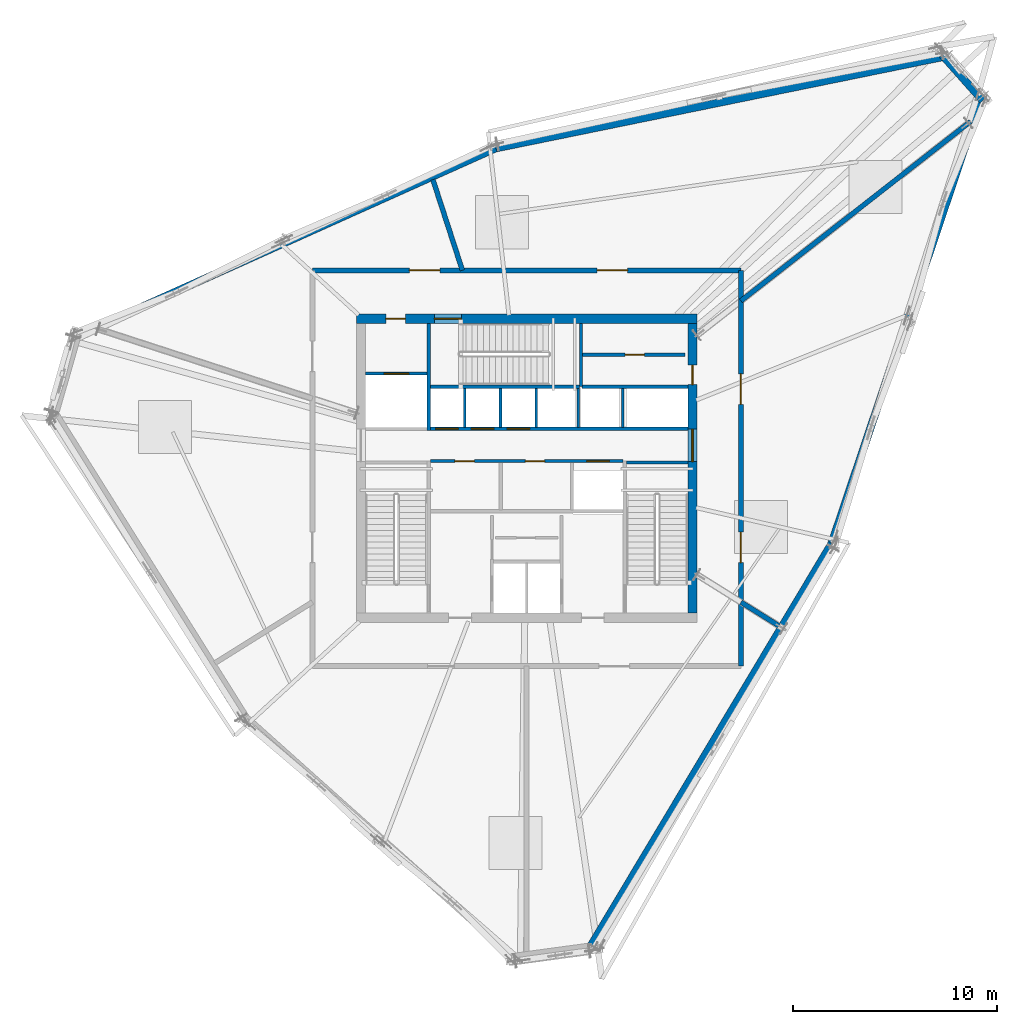
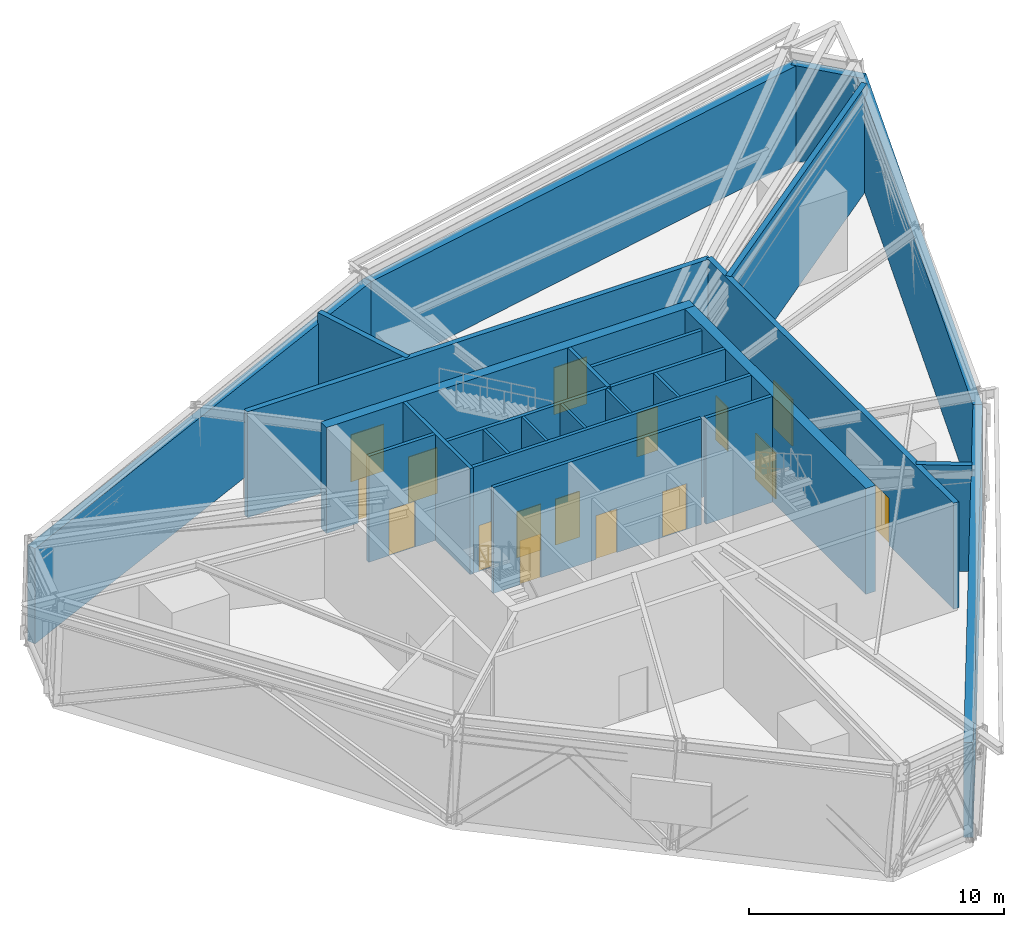
# One storey, part 10 of 15: 26 walls, 16 doors, 16 openings.
"""IFC4 building model written with IfcOpenShell, lengths in metres."""

from ifc_helpers import new_model, si_unit, direction, frame, frame_2d, origin, place, context, subcontext, project, spatial, rectangle, extrude, source, transform, mapped, material, layer, layer_set, type_object, type_shapes, element, fill, save


model = new_model("IFC4")

# Units and contexts
model_context = context("Model", 3, precision=1e-05, world=origin(), true_north=direction((0.0, 1.0)))
body_context = subcontext(model_context, "Body", "Model", "MODEL_VIEW")
ifc_project = project(units=[si_unit("LENGTHUNIT", "METRE"), si_unit("AREAUNIT", "SQUARE_METRE"), si_unit("VOLUMEUNIT", "CUBIC_METRE"), si_unit("PLANEANGLEUNIT", "RADIAN"), si_unit("MASSUNIT", "GRAM", prefix="KILO")], contexts=[model_context])

# Site, building, storey
site_placement = place(None, origin())
site = spatial("IfcSite", under=ifc_project, at=site_placement, CompositionType="ELEMENT")
building_placement = place(site_placement, origin())
building = spatial("IfcBuilding", under=site, at=building_placement, Name="Olszyna Solenne Hotel", CompositionType="ELEMENT")
storey_placement = place(building_placement, frame((0.0, 0.0, 204.300048828125)))
storey = spatial("IfcBuildingStorey", under=building, at=storey_placement, Name="L54", CompositionType="ELEMENT", Elevation=204.300048828125)

# Wall, openings, doors
ifc_material_1 = material(Name="Concrete C50/60", Category="concrete")
ifc_layer_1 = layer(ifc_material_1, 0.449951171875, Name="Concrete C50/60")
ifc_layer_set_1 = layer_set([ifc_layer_1], Name="Concrete C50/60")
wall_type_1 = type_object("IfcWallType", Name="WL-CR450", PredefinedType="SHEAR", material=ifc_layer_set_1)
wall_1_placement = place(storey_placement, frame((29.64990234375, 33.925048828125, 0.0), z_axis=(0.0, 0.0, 1.0), x_axis=(1.0, 0.0, 0.0)))
wall_1 = element("IfcWall", 1, at=wall_1_placement, inside=storey, type_object=wall_type_1, Name="Core shear wall WL-CR450 CRW-L54-N", PredefinedType="SHEAR", context=body_context, shape_type="SweptSolid", body=[
    extrude(rectangle(XDim=16.7001953125, YDim=0.449951171875, at=frame_2d((8.35009765625, 0.0))), origin(), (0.0, 0.0, 1.0), 5.079833984375),
])
opening_1_placement = place(wall_1_placement, frame((1.449951171875, 0.0, 0.0)))
opening_1 = element("IfcOpeningElement", 2, at=opening_1_placement, cuts=wall_1, Name="Opening SVD-L54-01", PredefinedType="OPENING", context=body_context, shape_type="SweptSolid", body=[
    extrude(rectangle(XDim=0.949951171875, YDim=2.10009765625, at=frame_2d((0.47509765625, 1.050048828125))), frame((0.0, 0.23486328125, 0.0), z_axis=(0.0, -1.0, 0.0), x_axis=(1.0, 0.0, 0.0)), (0.0, 0.0, 1.0), 0.469970703125),
])
opening_2_placement = place(wall_1_placement, frame((3.830078125, 0.0, 0.0)))
opening_2 = element("IfcOpeningElement", 3, at=opening_2_placement, cuts=wall_1, Name="Opening STD-L54-03", PredefinedType="OPENING", context=body_context, shape_type="SweptSolid", body=[
    extrude(rectangle(XDim=1.320068359375, YDim=2.199951171875, at=frame_2d((0.66015625, 1.10009765625))), frame((0.0, 0.23486328125, 0.0), z_axis=(0.0, -1.0, 0.0), x_axis=(1.0, 0.0, 0.0)), (0.0, 0.0, 1.0), 0.469970703125),
])
ifc_material_2 = material(Name="Steel S355J2", Category="steel")
door_type_1 = type_object("IfcDoorType", Name="DR-ST1", OperationType="NOTDEFINED", PredefinedType="DOOR", material=ifc_material_2)
shared_shape_1 = source(origin(), body_context, "Body", "SweptSolid", [
    extrude(rectangle(XDim=1.320068359375, YDim=2.199951171875, at=frame_2d((0.66015625, 1.10009765625))), frame((0.0, 0.02490234375, 0.0), z_axis=(0.0, -1.0, 0.0), x_axis=(1.0, 0.0, 0.0)), (0.0, 0.0, 1.0), 0.050048828125),
])
type_shapes(door_type_1, [shared_shape_1])
door_1_placement = place(opening_2_placement, origin())
door_1 = element("IfcDoor", 4, at=door_1_placement, inside=storey, type_object=door_type_1, Name="Pressurised exit stair ST3 fire door STD-L54-03", OperationType="SINGLE_SWING_RIGHT", OverallHeight=2.199951171875, OverallWidth=1.320068359375, PredefinedType="DOOR", context=body_context, shape_type="MappedRepresentation", body=[
    mapped(shared_shape_1, transform((0.0, 0.0, 0.0), x_axis=(1.0, 0.0, 0.0), y_axis=(0.0, 1.0, 0.0), z_axis=(0.0, 0.0, 1.0), scale=1.0)),
])
fill(opening_2, door_1)
door_type_2 = type_object("IfcDoorType", Name="DR-SV1", OperationType="NOTDEFINED", PredefinedType="DOOR", material=ifc_material_2)
shared_shape_2 = source(origin(), body_context, "Body", "SweptSolid", [
    extrude(rectangle(XDim=0.949951171875, YDim=2.10009765625, at=frame_2d((0.47509765625, 1.050048828125))), frame((0.0, 0.02490234375, 0.0), z_axis=(0.0, -1.0, 0.0), x_axis=(1.0, 0.0, 0.0)), (0.0, 0.0, 1.0), 0.050048828125),
])
type_shapes(door_type_2, [shared_shape_2])
door_2_placement = place(opening_1_placement, origin())
door_2 = element("IfcDoor", 5, at=door_2_placement, inside=storey, type_object=door_type_2, Name="Service lift lobby fire door SVD-L54-01", OperationType="SINGLE_SWING_LEFT", OverallHeight=2.10009765625, OverallWidth=0.949951171875, PredefinedType="DOOR", context=body_context, shape_type="MappedRepresentation", body=[
    mapped(shared_shape_2, transform((0.0, 0.0, 0.0), x_axis=(1.0, 0.0, 0.0), y_axis=(0.0, 1.0, 0.0), z_axis=(0.0, 0.0, 1.0), scale=1.0)),
])
fill(opening_1, door_2)

wall_2_placement = place(storey_placement, frame((46.125, 33.699951171875, 0.0), z_axis=(0.0, 0.0, 1.0), x_axis=(0.0, -1.0, 0.0)))
wall_2 = element("IfcWall", 6, at=wall_2_placement, inside=storey, type_object=wall_type_1, Name="Core shear wall WL-CR450 CRW-L54-E", PredefinedType="SHEAR", context=body_context, shape_type="SweptSolid", body=[
    extrude(rectangle(XDim=14.199951171875, YDim=0.449951171875, at=frame_2d((7.10009765625, 0.0))), origin(), (0.0, 0.0, 1.0), 5.079833984375),
])
opening_3_placement = place(wall_2_placement, frame((5.179931640625, 0.0, 0.0)))
opening_3 = element("IfcOpeningElement", 7, at=opening_3_placement, cuts=wall_2, Name="Opening LHD-L54-E", PredefinedType="OPENING", context=body_context, shape_type="SweptSolid", body=[
    extrude(rectangle(XDim=1.60009765625, YDim=2.199951171875, at=frame_2d((0.800048828125, 1.10009765625))), frame((0.0, 0.23486328125, 0.0), z_axis=(0.0, -1.0, 0.0), x_axis=(1.0, 0.0, 0.0)), (0.0, 0.0, 1.0), 0.469970703125),
])
opening_4_placement = place(wall_2_placement, frame((2.050048828125, 0.0, 0.0)))
opening_4 = element("IfcOpeningElement", 8, at=opening_4_placement, cuts=wall_2, Name="Opening SVD-L54-BE", PredefinedType="OPENING", context=body_context, shape_type="SweptSolid", body=[
    extrude(rectangle(XDim=0.949951171875, YDim=2.10009765625, at=frame_2d((0.47509765625, 1.050048828125))), frame((0.0, 0.23486328125, 0.0), z_axis=(0.0, -1.0, 0.0), x_axis=(1.0, 0.0, 0.0)), (0.0, 0.0, 1.0), 0.469970703125),
])
door_3_placement = place(opening_4_placement, origin())
door_3 = element("IfcDoor", 9, at=door_3_placement, inside=storey, type_object=door_type_2, Name="Housekeeping core fire door SVD-L54-BE", OperationType="SINGLE_SWING_RIGHT", OverallHeight=2.10009765625, OverallWidth=0.949951171875, PredefinedType="DOOR", context=body_context, shape_type="MappedRepresentation", body=[
    mapped(shared_shape_2, transform((0.0, 0.0, 0.0), x_axis=(1.0, 0.0, 0.0), y_axis=(0.0, 1.0, 0.0), z_axis=(0.0, 0.0, 1.0), scale=1.0)),
])
fill(opening_4, door_3)
ifc_material_3 = material(Name="Timber hardwood", Category="wood")
door_type_3 = type_object("IfcDoorType", Name="DR-CR1", OperationType="DOUBLE_DOOR_SINGLE_SWING", PredefinedType="DOOR", material=ifc_material_3)
shared_shape_3 = source(origin(), body_context, "Body", "SweptSolid", [
    extrude(rectangle(XDim=1.60009765625, YDim=2.199951171875, at=frame_2d((0.800048828125, 1.10009765625))), frame((0.0, 0.02490234375, 0.0), z_axis=(0.0, -1.0, 0.0), x_axis=(1.0, 0.0, 0.0)), (0.0, 0.0, 1.0), 0.050048828125),
])
type_shapes(door_type_3, [shared_shape_3])
door_4_placement = place(opening_3_placement, origin())
door_4 = element("IfcDoor", 10, at=door_4_placement, inside=storey, type_object=door_type_3, Name="Passenger lift lobby East fire door LHD-L54-E", OperationType="DOUBLE_DOOR_SINGLE_SWING", OverallHeight=2.199951171875, OverallWidth=1.60009765625, PredefinedType="DOOR", context=body_context, shape_type="MappedRepresentation", body=[
    mapped(shared_shape_3, transform((0.0, 0.0, 0.0), x_axis=(1.0, 0.0, 0.0), y_axis=(0.0, 1.0, 0.0), z_axis=(0.0, 0.0, 1.0), scale=1.0)),
])
fill(opening_3, door_4)

# Walls
ifc_material_4 = material(Name="Terracotta cladding on precast concrete C45/55", Category="masonry")
ifc_layer_2 = layer(ifc_material_4, 0.3798828125, Name="Terracotta cladding on precast concrete C45/55")
ifc_layer_set_2 = layer_set([ifc_layer_2], Name="Terracotta cladding on precast concrete C45/55")
wall_type_2 = type_object("IfcWallType", Name="WL-EX380", PredefinedType="SOLIDWALL", material=ifc_layer_set_2)
wall_3_placement = place(storey_placement, frame((52.952392578125, 22.916748046875, 0.0), z_axis=(0.0, 0.0, 1.0), x_axis=(-0.51363254846, -0.858010259357, 0.0)))
element("IfcWall", 11, at=wall_3_placement, inside=storey, type_object=wall_type_2, Name="Exterior terracotta-precast frame wall WL-EX380 EW-L54-01", PredefinedType="SOLIDWALL", context=body_context, shape_type="SweptSolid", body=[
    extrude(rectangle(XDim=23.132568359375, YDim=0.3798828125, at=frame_2d((11.56640625, 0.0))), origin(), (0.0, 0.0, 1.0), 4.572021484375),
])
for number, where, z_axis, x_axis, name in (
    (12, (15.88623046875, 33.049560546875, 0.0), (0.0, 0.0, 1.0), (0.912383830261, 0.409335737845, 0.0), "Exterior terracotta-precast frame wall WL-EX380 EW-L54-06"),
    (13, (36.43798828125, 42.27490234375, 0.0), (0.0, 0.0, 1.0), (0.979770307464, 0.200125322264, 0.0), "Exterior terracotta-precast frame wall WL-EX380 EW-L54-07"),
):
    element("IfcWall", number, at=place(storey_placement, frame(where, z_axis=z_axis, x_axis=x_axis)), inside=storey, type_object=wall_type_2, Name=name, PredefinedType="SOLIDWALL", context=body_context, shape_type="SweptSolid", body=[
        extrude(rectangle(XDim=22.56884765625, YDim=0.3798828125, at=frame_2d((11.284423828125, 0.0))), origin(), (0.0, 0.0, 1.0), 4.572021484375),
    ])
wall_4_placement = place(storey_placement, frame((58.3701171875, 46.8515625, 0.0), z_axis=(0.0, 0.0, 1.0), x_axis=(0.663286689739, -0.748365396859, 0.0)))
element("IfcWall", 14, at=wall_4_placement, inside=storey, type_object=wall_type_2, Name="Exterior terracotta-precast frame wall WL-EX380 EW-L54-08", PredefinedType="SOLIDWALL", context=body_context, shape_type="SweptSolid", body=[
    extrude(rectangle(XDim=2.984375, YDim=0.3798828125, at=frame_2d((1.4921875, 0.0))), origin(), (0.0, 0.0, 1.0), 4.572021484375),
])
wall_5_placement = place(storey_placement, frame((60.3115234375, 44.8046875, 0.0), z_axis=(0.0, 0.0, 1.0), x_axis=(-0.318870334395, -0.947798348724, 0.0)))
element("IfcWall", 15, at=wall_5_placement, inside=storey, type_object=wall_type_2, Name="Exterior terracotta-precast frame wall WL-EX380 EW-L54-09", PredefinedType="SOLIDWALL", context=body_context, shape_type="SweptSolid", body=[
    extrude(rectangle(XDim=23.13232421875, YDim=0.3798828125, at=frame_2d((11.566162109375, 0.0))), origin(), (0.0, 0.0, 1.0), 4.572021484375),
])
ifc_material_5 = material(Name="Acoustic gypsum partition", Category="gypsum")
ifc_layer_3 = layer(ifc_material_5, 0.125, Name="Acoustic gypsum partition")
ifc_layer_set_3 = layer_set([ifc_layer_3], Name="Acoustic gypsum partition")
wall_type_3 = type_object("IfcWallType", Name="WL-PT125", PredefinedType="PARTITIONING", material=ifc_layer_set_3)
for number, where, z_axis, x_axis, name in (
    (16, (34.965087890625, 28.60009765625, 0.0), (0.0, 0.0, 1.0), (0.0, 1.0, 0.0), "Core shaft compartment wall CW-L54-DIVN349"),
    (17, (36.715087890625, 28.60009765625, 0.0), (0.0, 0.0, 1.0), (0.0, 1.0, 0.0), "Core shaft compartment wall CW-L54-DIVN367"),
    (18, (38.465087890625, 28.60009765625, 0.0), (0.0, 0.0, 1.0), (0.0, 1.0, 0.0), "Core shaft compartment wall CW-L54-DIVN384"),
    (19, (40.52490234375, 28.60009765625, 0.0), (0.0, 0.0, 1.0), (0.0, 1.0, 0.0), "Core shaft compartment wall CW-L54-DIVEX405"),
    (20, (42.699951171875, 28.60009765625, 0.0), (0.0, 0.0, 1.0), (0.0, 1.0, 0.0), "Core shaft compartment wall CW-L54-DIVEX427"),
):
    element("IfcWall", number, at=place(storey_placement, frame(where, z_axis=z_axis, x_axis=x_axis)), inside=storey, type_object=wall_type_3, Name=name, PredefinedType="PARTITIONING", context=body_context, shape_type="SweptSolid", body=[
        extrude(rectangle(XDim=1.919921875, YDim=0.125, at=frame_2d((0.9599609375, 0.0))), origin(), (0.0, 0.0, 1.0), 5.079833984375),
    ])
ifc_layer_4 = layer(ifc_material_5, 0.159912109375, Name="Acoustic gypsum partition")
ifc_layer_set_4 = layer_set([ifc_layer_4], Name="Acoustic gypsum partition")
wall_type_4 = type_object("IfcWallType", Name="WL-PT160", PredefinedType="PARTITIONING", material=ifc_layer_set_4)
wall_6_placement = place(storey_placement, frame((42.8798828125, 26.8798828125, 0.0), z_axis=(0.0, 0.0, 1.0), x_axis=(1.0, 0.0, 0.0)))
element("IfcWall", 21, at=wall_6_placement, inside=storey, type_object=wall_type_4, Name="Core shaft compartment wall CW-L54-ST2N", PredefinedType="PARTITIONING", context=body_context, shape_type="SweptSolid", body=[
    extrude(rectangle(XDim=3.02001953125, YDim=0.159912109375, at=frame_2d((1.510009765625, 0.0))), origin(), (0.0, 0.0, 1.0), 5.079833984375),
])
wall_7_placement = place(storey_placement, frame((33.280029296875, 30.60009765625, 0.0), z_axis=(0.0, 0.0, 1.0), x_axis=(1.0, 0.0, 0.0)))
element("IfcWall", 22, at=wall_7_placement, inside=storey, type_object=wall_type_4, Name="Core shaft compartment wall CW-L54-ST3S", PredefinedType="PARTITIONING", context=body_context, shape_type="SweptSolid", body=[
    extrude(rectangle(XDim=7.300048828125, YDim=0.159912109375, at=frame_2d((3.64990234375, 0.0))), origin(), (0.0, 0.0, 1.0), 5.079833984375),
])
wall_8_placement = place(storey_placement, frame((40.659912109375, 30.60009765625, 0.0), z_axis=(0.0, 0.0, 1.0), x_axis=(0.0, 1.0, 0.0)))
element("IfcWall", 23, at=wall_8_placement, inside=storey, type_object=wall_type_4, Name="Core shaft compartment wall CW-L54-ST3E", PredefinedType="PARTITIONING", context=body_context, shape_type="SweptSolid", body=[
    extrude(rectangle(XDim=3.099853515625, YDim=0.159912109375, at=frame_2d((1.5498046875, 0.0))), origin(), (0.0, 0.0, 1.0), 5.079833984375),
])
wall_9_placement = place(storey_placement, frame((33.199951171875, 28.43994140625, 0.0), z_axis=(0.0, 0.0, 1.0), x_axis=(0.0, 1.0, 0.0)))
element("IfcWall", 24, at=wall_9_placement, inside=storey, type_object=wall_type_4, Name="Core shaft compartment wall CW-L54-SV1E", PredefinedType="PARTITIONING", context=body_context, shape_type="SweptSolid", body=[
    extrude(rectangle(XDim=5.260009765625, YDim=0.159912109375, at=frame_2d((2.6298828125, 0.0))), origin(), (0.0, 0.0, 1.0), 5.079833984375),
])

# Wall, opening, door
wall_10_placement = place(storey_placement, frame((30.10009765625, 31.239990234375, 0.0), z_axis=(0.0, 0.0, 1.0), x_axis=(1.0, 0.0, 0.0)))
wall_10 = element("IfcWall", 25, at=wall_10_placement, inside=storey, type_object=wall_type_4, Name="Core shaft compartment wall CW-L54-SV1N", PredefinedType="PARTITIONING", context=body_context, shape_type="SweptSolid", body=[
    extrude(rectangle(XDim=3.02001953125, YDim=0.159912109375, at=frame_2d((1.510009765625, 0.0))), origin(), (0.0, 0.0, 1.0), 5.079833984375),
])
opening_5_placement = place(wall_10_placement, frame((0.909912109375, 0.0, 0.0)))
opening_5 = element("IfcOpeningElement", 26, at=opening_5_placement, cuts=wall_10, Name="Opening LD-L54-SV1", PredefinedType="OPENING", context=body_context, shape_type="SweptSolid", body=[
    extrude(rectangle(XDim=1.199951171875, YDim=2.199951171875, at=frame_2d((0.60009765625, 1.10009765625))), frame((0.0, 0.08984375, 0.0), z_axis=(0.0, -1.0, 0.0), x_axis=(1.0, 0.0, 0.0)), (0.0, 0.0, 1.0), 0.179931640625),
])
door_type_4 = type_object("IfcDoorType", Name="LD-FF1", OperationType="DOUBLE_DOOR_SLIDING", PredefinedType="DOOR", material=ifc_material_2)
shared_shape_4 = source(origin(), body_context, "Body", "SweptSolid", [
    extrude(rectangle(XDim=1.199951171875, YDim=2.199951171875, at=frame_2d((0.60009765625, 1.10009765625))), frame((0.0, 0.02490234375, 0.0), z_axis=(0.0, -1.0, 0.0), x_axis=(1.0, 0.0, 0.0)), (0.0, 0.0, 1.0), 0.050048828125),
])
type_shapes(door_type_4, [shared_shape_4])
door_5_placement = place(opening_5_placement, origin())
door_5 = element("IfcDoor", 27, at=door_5_placement, inside=storey, type_object=door_type_4, Name="Service lift SV1 sliding landing door LD-L54-SV1", OperationType="DOUBLE_DOOR_SLIDING", OverallHeight=2.199951171875, OverallWidth=1.199951171875, PredefinedType="DOOR", context=body_context, shape_type="MappedRepresentation", body=[
    mapped(shared_shape_4, transform((0.0, 0.0, 0.0), x_axis=(1.0, 0.0, 0.0), y_axis=(0.0, 1.0, 0.0), z_axis=(0.0, 0.0, 1.0), scale=1.0)),
])
fill(opening_5, door_5)

# Wall, openings, doors
wall_11_placement = place(storey_placement, frame((33.280029296875, 26.949951171875, 0.0), z_axis=(0.0, 0.0, 1.0), x_axis=(1.0, 0.0, 0.0)))
wall_11 = element("IfcWall", 28, at=wall_11_placement, inside=storey, type_object=wall_type_4, Name="Core shaft compartment wall CW-L54-LRS", PredefinedType="PARTITIONING", context=body_context, shape_type="SweptSolid", body=[
    extrude(rectangle(XDim=9.43994140625, YDim=0.159912109375, at=frame_2d((4.719970703125, 0.0))), origin(), (0.0, 0.0, 1.0), 5.079833984375),
])
opening_6_placement = place(wall_11_placement, frame((1.199951171875, 0.0, 0.0)))
opening_6 = element("IfcOpeningElement", 29, at=opening_6_placement, cuts=wall_11, Name="Opening SVD-L54-L71", PredefinedType="OPENING", context=body_context, shape_type="SweptSolid", body=[
    extrude(rectangle(XDim=0.949951171875, YDim=2.10009765625, at=frame_2d((0.47509765625, 1.050048828125))), frame((0.0, 0.08984375, 0.0), z_axis=(0.0, -1.0, 0.0), x_axis=(1.0, 0.0, 0.0)), (0.0, 0.0, 1.0), 0.179931640625),
])
opening_7_placement = place(wall_11_placement, frame((4.64990234375, 0.0, 0.0)))
opening_7 = element("IfcOpeningElement", 30, at=opening_7_placement, cuts=wall_11, Name="Opening SVD-L54-L72", PredefinedType="OPENING", context=body_context, shape_type="SweptSolid", body=[
    extrude(rectangle(XDim=0.949951171875, YDim=2.10009765625, at=frame_2d((0.47509765625, 1.050048828125))), frame((0.0, 0.08984375, 0.0), z_axis=(0.0, -1.0, 0.0), x_axis=(1.0, 0.0, 0.0)), (0.0, 0.0, 1.0), 0.179931640625),
])
opening_8_placement = place(wall_11_placement, frame((7.669921875, 0.0, 0.0)))
opening_8 = element("IfcOpeningElement", 31, at=opening_8_placement, cuts=wall_11, Name="Opening LD-L54-PL5", PredefinedType="OPENING", context=body_context, shape_type="SweptSolid", body=[
    extrude(rectangle(XDim=1.10009765625, YDim=2.199951171875, at=frame_2d((0.550048828125, 1.10009765625))), frame((0.0, 0.08984375, 0.0), z_axis=(0.0, -1.0, 0.0), x_axis=(1.0, 0.0, 0.0)), (0.0, 0.0, 1.0), 0.179931640625),
])
door_6_placement = place(opening_6_placement, origin())
door_6 = element("IfcDoor", 32, at=door_6_placement, inside=storey, type_object=door_type_2, Name="Recaptured core room fire door SVD-L54-L71", OperationType="SINGLE_SWING_LEFT", OverallHeight=2.10009765625, OverallWidth=0.949951171875, PredefinedType="DOOR", context=body_context, shape_type="MappedRepresentation", body=[
    mapped(shared_shape_2, transform((0.0, 0.0, 0.0), x_axis=(1.0, 0.0, 0.0), y_axis=(0.0, 1.0, 0.0), z_axis=(0.0, 0.0, 1.0), scale=1.0)),
])
fill(opening_6, door_6)
door_7_placement = place(opening_7_placement, origin())
door_7 = element("IfcDoor", 33, at=door_7_placement, inside=storey, type_object=door_type_2, Name="Recaptured core room fire door SVD-L54-L72", OperationType="SINGLE_SWING_RIGHT", OverallHeight=2.10009765625, OverallWidth=0.949951171875, PredefinedType="DOOR", context=body_context, shape_type="MappedRepresentation", body=[
    mapped(shared_shape_2, transform((0.0, 0.0, 0.0), x_axis=(1.0, 0.0, 0.0), y_axis=(0.0, 1.0, 0.0), z_axis=(0.0, 0.0, 1.0), scale=1.0)),
])
fill(opening_7, door_7)
door_type_5 = type_object("IfcDoorType", Name="LD-P1", OperationType="DOUBLE_DOOR_SLIDING", PredefinedType="DOOR", material=ifc_material_2)
shared_shape_5 = source(origin(), body_context, "Body", "SweptSolid", [
    extrude(rectangle(XDim=1.10009765625, YDim=2.199951171875, at=frame_2d((0.550048828125, 1.10009765625))), frame((0.0, 0.02490234375, 0.0), z_axis=(0.0, -1.0, 0.0), x_axis=(1.0, 0.0, 0.0)), (0.0, 0.0, 1.0), 0.050048828125),
])
type_shapes(door_type_5, [shared_shape_5])
door_8_placement = place(opening_8_placement, origin())
door_8 = element("IfcDoor", 34, at=door_8_placement, inside=storey, type_object=door_type_5, Name="Passenger lift PL5 sliding landing door LD-L54-PL5", OperationType="DOUBLE_DOOR_SLIDING", OverallHeight=2.199951171875, OverallWidth=1.10009765625, PredefinedType="DOOR", context=body_context, shape_type="MappedRepresentation", body=[
    mapped(shared_shape_5, transform((0.0, 0.0, 0.0), x_axis=(1.0, 0.0, 0.0), y_axis=(0.0, 1.0, 0.0), z_axis=(0.0, 0.0, 1.0), scale=1.0)),
])
fill(opening_8, door_8)

wall_12_placement = place(storey_placement, frame((33.280029296875, 28.5400390625, 0.0), z_axis=(0.0, 0.0, 1.0), x_axis=(1.0, 0.0, 0.0)))
wall_12 = element("IfcWall", 35, at=wall_12_placement, inside=storey, type_object=wall_type_4, Name="Core shaft compartment wall CW-L54-LRN", PredefinedType="PARTITIONING", context=body_context, shape_type="SweptSolid", body=[
    extrude(rectangle(XDim=12.619873046875, YDim=0.159912109375, at=frame_2d((6.31005859375, 0.0))), origin(), (0.0, 0.0, 1.0), 5.079833984375),
])
opening_9_placement = place(wall_12_placement, frame((0.260009765625, 0.0, 0.0)))
opening_9 = element("IfcOpeningElement", 36, at=opening_9_placement, cuts=wall_12, Name="Opening LD-L54-PL6", PredefinedType="OPENING", context=body_context, shape_type="SweptSolid", body=[
    extrude(rectangle(XDim=1.10009765625, YDim=2.199951171875, at=frame_2d((0.550048828125, 1.10009765625))), frame((0.0, 0.08984375, 0.0), z_axis=(0.0, -1.0, 0.0), x_axis=(1.0, 0.0, 0.0)), (0.0, 0.0, 1.0), 0.179931640625),
])
opening_10_placement = place(wall_12_placement, frame((2.010009765625, 0.0, 0.0)))
opening_10 = element("IfcOpeningElement", 37, at=opening_10_placement, cuts=wall_12, Name="Opening LD-L54-PL7", PredefinedType="OPENING", context=body_context, shape_type="SweptSolid", body=[
    extrude(rectangle(XDim=1.10009765625, YDim=2.199951171875, at=frame_2d((0.550048828125, 1.10009765625))), frame((0.0, 0.08984375, 0.0), z_axis=(0.0, -1.0, 0.0), x_axis=(1.0, 0.0, 0.0)), (0.0, 0.0, 1.0), 0.179931640625),
])
opening_11_placement = place(wall_12_placement, frame((3.760009765625, 0.0, 0.0)))
opening_11 = element("IfcOpeningElement", 38, at=opening_11_placement, cuts=wall_12, Name="Opening LD-L54-PL8", PredefinedType="OPENING", context=body_context, shape_type="SweptSolid", body=[
    extrude(rectangle(XDim=1.10009765625, YDim=2.199951171875, at=frame_2d((0.550048828125, 1.10009765625))), frame((0.0, 0.08984375, 0.0), z_axis=(0.0, -1.0, 0.0), x_axis=(1.0, 0.0, 0.0)), (0.0, 0.0, 1.0), 0.179931640625),
])
door_9_placement = place(opening_9_placement, origin())
door_9 = element("IfcDoor", 39, at=door_9_placement, inside=storey, type_object=door_type_5, Name="Passenger lift PL6 sliding landing door LD-L54-PL6", OperationType="DOUBLE_DOOR_SLIDING", OverallHeight=2.199951171875, OverallWidth=1.10009765625, PredefinedType="DOOR", context=body_context, shape_type="MappedRepresentation", body=[
    mapped(shared_shape_5, transform((0.0, 0.0, 0.0), x_axis=(1.0, 0.0, 0.0), y_axis=(0.0, 1.0, 0.0), z_axis=(0.0, 0.0, 1.0), scale=1.0)),
])
fill(opening_9, door_9)
door_10_placement = place(opening_10_placement, origin())
door_10 = element("IfcDoor", 40, at=door_10_placement, inside=storey, type_object=door_type_5, Name="Passenger lift PL7 sliding landing door LD-L54-PL7", OperationType="DOUBLE_DOOR_SLIDING", OverallHeight=2.199951171875, OverallWidth=1.10009765625, PredefinedType="DOOR", context=body_context, shape_type="MappedRepresentation", body=[
    mapped(shared_shape_5, transform((0.0, 0.0, 0.0), x_axis=(1.0, 0.0, 0.0), y_axis=(0.0, 1.0, 0.0), z_axis=(0.0, 0.0, 1.0), scale=1.0)),
])
fill(opening_10, door_10)
door_11_placement = place(opening_11_placement, origin())
door_11 = element("IfcDoor", 41, at=door_11_placement, inside=storey, type_object=door_type_5, Name="Passenger lift PL8 sliding landing door LD-L54-PL8", OperationType="DOUBLE_DOOR_SLIDING", OverallHeight=2.199951171875, OverallWidth=1.10009765625, PredefinedType="DOOR", context=body_context, shape_type="MappedRepresentation", body=[
    mapped(shared_shape_5, transform((0.0, 0.0, 0.0), x_axis=(1.0, 0.0, 0.0), y_axis=(0.0, 1.0, 0.0), z_axis=(0.0, 0.0, 1.0), scale=1.0)),
])
fill(opening_11, door_11)

# Wall
wall_13_placement = place(storey_placement, frame((40.719970703125, 30.60009765625, 0.0), z_axis=(0.0, 0.0, 1.0), x_axis=(1.0, 0.0, 0.0)))
element("IfcWall", 42, at=wall_13_placement, inside=storey, type_object=wall_type_4, Name="Core shaft compartment wall CW-L54-LRNTOP", PredefinedType="PARTITIONING", context=body_context, shape_type="SweptSolid", body=[
    extrude(rectangle(XDim=5.179931640625, YDim=0.159912109375, at=frame_2d((2.58984375, 0.0))), origin(), (0.0, 0.0, 1.0), 5.079833984375),
])

# Wall, opening, door
wall_14_placement = place(storey_placement, frame((40.719970703125, 32.157958984375, 0.0), z_axis=(0.0, 0.0, 1.0), x_axis=(1.0, 0.0, 0.0)))
wall_14 = element("IfcWall", 43, at=wall_14_placement, inside=storey, type_object=wall_type_4, Name="Core shaft compartment wall CW-L54-BOH2", PredefinedType="PARTITIONING", context=body_context, shape_type="SweptSolid", body=[
    extrude(rectangle(XDim=5.030029296875, YDim=0.159912109375, at=frame_2d((2.51513671875, 0.0))), origin(), (0.0, 0.0, 1.0), 5.079833984375),
])
opening_12_placement = place(wall_14_placement, frame((2.10009765625, 0.0, 0.0)))
opening_12 = element("IfcOpeningElement", 44, at=opening_12_placement, cuts=wall_14, Name="Opening SVD-L54-BI2", PredefinedType="OPENING", context=body_context, shape_type="SweptSolid", body=[
    extrude(rectangle(XDim=0.949951171875, YDim=2.10009765625, at=frame_2d((0.47509765625, 1.050048828125))), frame((0.0, 0.08984375, 0.0), z_axis=(0.0, -1.0, 0.0), x_axis=(1.0, 0.0, 0.0)), (0.0, 0.0, 1.0), 0.179931640625),
])
door_12_placement = place(opening_12_placement, origin())
door_12 = element("IfcDoor", 45, at=door_12_placement, inside=storey, type_object=door_type_2, Name="BOH inter-room fire door SVD-L54-BI2", OperationType="SINGLE_SWING_RIGHT", OverallHeight=2.10009765625, OverallWidth=0.949951171875, PredefinedType="DOOR", context=body_context, shape_type="MappedRepresentation", body=[
    mapped(shared_shape_2, transform((0.0, 0.0, 0.0), x_axis=(1.0, 0.0, 0.0), y_axis=(0.0, 1.0, 0.0), z_axis=(0.0, 0.0, 1.0), scale=1.0)),
])
fill(opening_12, door_12)

# Walls
ifc_layer_5 = layer(ifc_material_5, 0.239990234375, Name="Acoustic gypsum partition")
ifc_layer_set_5 = layer_set([ifc_layer_5], Name="Acoustic gypsum partition")
wall_type_5 = type_object("IfcWallType", Name="WL-PT240", PredefinedType="PARTITIONING", material=ifc_layer_set_5)
wall_15_placement = place(storey_placement, frame((48.5, 20.038818359375, 0.0), z_axis=(0.0, 0.0, 1.0), x_axis=(0.848067119761, -0.529888818887, 0.0)))
element("IfcWall", 46, at=wall_15_placement, inside=storey, type_object=wall_type_5, Name="Interior acoustic partition WL-PT240 PW-L54-3036", PredefinedType="PARTITIONING", context=body_context, shape_type="SweptSolid", body=[
    extrude(rectangle(XDim=2.192138671875, YDim=0.239990234375, at=frame_2d((1.09619140625, 0.0))), origin(), (0.0, 0.0, 1.0), 5.079833984375),
])
wall_16_placement = place(storey_placement, frame((48.5, 34.803466796875, 0.0), z_axis=(0.0, 0.0, 1.0), x_axis=(0.788009847279, 0.615662635371, 0.0)))
element("IfcWall", 47, at=wall_16_placement, inside=storey, type_object=wall_type_5, Name="Interior acoustic partition WL-PT240 PW-L54-3037", PredefinedType="PARTITIONING", context=body_context, shape_type="SweptSolid", body=[
    extrude(rectangle(XDim=14.26904296875, YDim=0.239990234375, at=frame_2d((7.134521484375, 0.0))), origin(), (0.0, 0.0, 1.0), 5.079833984375),
])
wall_17_placement = place(storey_placement, frame((34.848388671875, 36.300048828125, 0.0), z_axis=(0.0, 0.0, 1.0), x_axis=(-0.309024642633, 0.951054031191, 0.0)))
element("IfcWall", 48, at=wall_17_placement, inside=storey, type_object=wall_type_5, Name="Interior acoustic partition WL-PT240 PW-L54-3038", PredefinedType="PARTITIONING", context=body_context, shape_type="SweptSolid", body=[
    extrude(rectangle(XDim=4.673095703125, YDim=0.239990234375, at=frame_2d((2.33642578125, 0.0))), origin(), (0.0, 0.0, 1.0), 5.079833984375),
])

# Wall, openings, doors
wall_18_placement = place(storey_placement, frame((27.5, 36.300048828125, 0.0), z_axis=(0.0, 0.0, 1.0), x_axis=(1.0, 0.0, 0.0)))
wall_18 = element("IfcWall", 49, at=wall_18_placement, inside=storey, type_object=wall_type_5, Name="Interior acoustic partition WL-PT240 PW-L54-3041", PredefinedType="PARTITIONING", context=body_context, shape_type="SweptSolid", body=[
    extrude(rectangle(XDim=21.0, YDim=0.239990234375, at=frame_2d((10.5, 0.0))), origin(), (0.0, 0.0, 1.0), 5.079833984375),
])
opening_13_placement = place(wall_18_placement, frame((4.75, 0.0, 0.0)))
opening_13 = element("IfcOpeningElement", 50, at=opening_13_placement, cuts=wall_18, Name="Opening DR-L54-0738", PredefinedType="OPENING", context=body_context, shape_type="SweptSolid", body=[
    extrude(rectangle(XDim=1.5, YDim=2.25, at=frame_2d((0.75, 1.125))), frame((0.0, 0.1298828125, 0.0), z_axis=(0.0, -1.0, 0.0), x_axis=(1.0, 0.0, 0.0)), (0.0, 0.0, 1.0), 0.260009765625),
])
opening_14_placement = place(wall_18_placement, frame((13.949951171875, 0.0, 0.0)))
opening_14 = element("IfcOpeningElement", 51, at=opening_14_placement, cuts=wall_18, Name="Opening DR-L54-0739", PredefinedType="OPENING", context=body_context, shape_type="SweptSolid", body=[
    extrude(rectangle(XDim=1.5, YDim=2.25, at=frame_2d((0.75, 1.125))), frame((0.0, 0.1298828125, 0.0), z_axis=(0.0, -1.0, 0.0), x_axis=(1.0, 0.0, 0.0)), (0.0, 0.0, 1.0), 0.260009765625),
])
door_type_6 = type_object("IfcDoorType", Name="DR-PL1", OperationType="DOUBLE_DOOR_SINGLE_SWING", PredefinedType="DOOR", material=ifc_material_2)
shared_shape_6 = source(origin(), body_context, "Body", "SweptSolid", [
    extrude(rectangle(XDim=1.5, YDim=2.25, at=frame_2d((0.75, 1.125))), frame((0.0, 0.02490234375, 0.0), z_axis=(0.0, -1.0, 0.0), x_axis=(1.0, 0.0, 0.0)), (0.0, 0.0, 1.0), 0.050048828125),
])
type_shapes(door_type_6, [shared_shape_6])
door_13_placement = place(opening_13_placement, origin())
door_13 = element("IfcDoor", 52, at=door_13_placement, inside=storey, type_object=door_type_6, Name="Refuge / Plant Fire Door DR-L54-0738", OperationType="DOUBLE_DOOR_SINGLE_SWING", OverallHeight=2.25, OverallWidth=1.5, PredefinedType="DOOR", context=body_context, shape_type="MappedRepresentation", body=[
    mapped(shared_shape_6, transform((0.0, 0.0, 0.0), x_axis=(1.0, 0.0, 0.0), y_axis=(0.0, 1.0, 0.0), z_axis=(0.0, 0.0, 1.0), scale=1.0)),
])
fill(opening_13, door_13)
door_14_placement = place(opening_14_placement, origin())
door_14 = element("IfcDoor", 53, at=door_14_placement, inside=storey, type_object=door_type_6, Name="Refuge / Plant Fire Door DR-L54-0739", OperationType="DOUBLE_DOOR_SINGLE_SWING", OverallHeight=2.25, OverallWidth=1.5, PredefinedType="DOOR", context=body_context, shape_type="MappedRepresentation", body=[
    mapped(shared_shape_6, transform((0.0, 0.0, 0.0), x_axis=(1.0, 0.0, 0.0), y_axis=(0.0, 1.0, 0.0), z_axis=(0.0, 0.0, 1.0), scale=1.0)),
])
fill(opening_14, door_14)

wall_19_placement = place(storey_placement, frame((48.5, 16.89990234375, 0.0), z_axis=(0.0, 0.0, 1.0), x_axis=(0.0, 1.0, 0.0)))
wall_19 = element("IfcWall", 54, at=wall_19_placement, inside=storey, type_object=wall_type_5, Name="Interior acoustic partition WL-PT240 PW-L54-3043", PredefinedType="PARTITIONING", context=body_context, shape_type="SweptSolid", body=[
    extrude(rectangle(XDim=19.400146484375, YDim=0.239990234375, at=frame_2d((9.7001953125, 0.0))), origin(), (0.0, 0.0, 1.0), 5.079833984375),
])
opening_15_placement = place(wall_19_placement, frame((5.070068359375, 0.0, 0.0)))
opening_15 = element("IfcOpeningElement", 55, at=opening_15_placement, cuts=wall_19, Name="Opening DR-L54-0742", PredefinedType="OPENING", context=body_context, shape_type="SweptSolid", body=[
    extrude(rectangle(XDim=1.5, YDim=2.25, at=frame_2d((0.75, 1.125))), frame((0.0, 0.1298828125, 0.0), z_axis=(0.0, -1.0, 0.0), x_axis=(1.0, 0.0, 0.0)), (0.0, 0.0, 1.0), 0.260009765625),
])
opening_16_placement = place(wall_19_placement, frame((12.830078125, 0.0, 0.0)))
opening_16 = element("IfcOpeningElement", 56, at=opening_16_placement, cuts=wall_19, Name="Opening DR-L54-0743", PredefinedType="OPENING", context=body_context, shape_type="SweptSolid", body=[
    extrude(rectangle(XDim=1.5, YDim=2.25, at=frame_2d((0.75, 1.125))), frame((0.0, 0.1298828125, 0.0), z_axis=(0.0, -1.0, 0.0), x_axis=(1.0, 0.0, 0.0)), (0.0, 0.0, 1.0), 0.260009765625),
])
door_15_placement = place(opening_15_placement, origin())
door_15 = element("IfcDoor", 57, at=door_15_placement, inside=storey, type_object=door_type_6, Name="Refuge / Plant Fire Door DR-L54-0742", OperationType="DOUBLE_DOOR_SINGLE_SWING", OverallHeight=2.25, OverallWidth=1.5, PredefinedType="DOOR", context=body_context, shape_type="MappedRepresentation", body=[
    mapped(shared_shape_6, transform((0.0, 0.0, 0.0), x_axis=(1.0, 0.0, 0.0), y_axis=(0.0, 1.0, 0.0), z_axis=(0.0, 0.0, 1.0), scale=1.0)),
])
fill(opening_15, door_15)
door_16_placement = place(opening_16_placement, origin())
door_16 = element("IfcDoor", 58, at=door_16_placement, inside=storey, type_object=door_type_6, Name="Refuge / Plant Fire Door DR-L54-0743", OperationType="DOUBLE_DOOR_SINGLE_SWING", OverallHeight=2.25, OverallWidth=1.5, PredefinedType="DOOR", context=body_context, shape_type="MappedRepresentation", body=[
    mapped(shared_shape_6, transform((0.0, 0.0, 0.0), x_axis=(1.0, 0.0, 0.0), y_axis=(0.0, 1.0, 0.0), z_axis=(0.0, 0.0, 1.0), scale=1.0)),
])
fill(opening_16, door_16)

save(model, "model.ifc")
